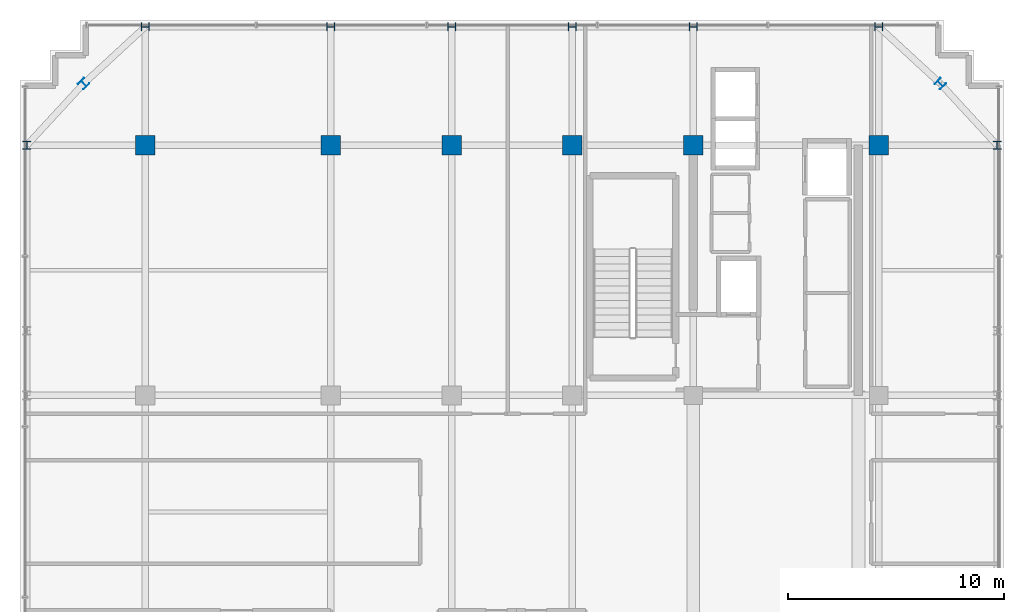
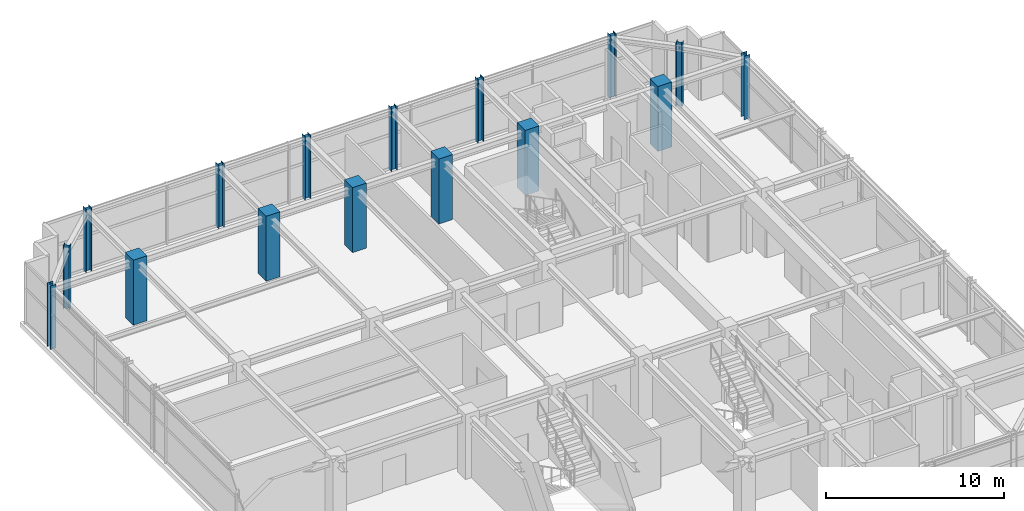
# One storey, part 3 of 20: 16 columns.
"""IFC4 building model written with IfcOpenShell, lengths in metres."""

import ifcopenshell
import ifcopenshell.guid

model = None  # the IFC model being written
_history = None  # IfcOwnerHistory: only IFC2X3 demands one
_inside = {}  # id of a spatial element -> (the spatial element, [elements in it])
_under = {}  # id of a project, library or spatial element -> (it, [spatial elements below it])
_declared = {}  # id of a project -> (the project, [libraries it declares])
_typed = {}  # id of a type object -> (the type object, [elements of that type])
_made_of = {}  # id of a material, layer set ... -> (it, [elements and type objects made of it])


def new_model(schema):
    """Start an empty IFC model of exactly this schema.

    Asked for "IFC4X3", IfcOpenShell would pick the latest addendum, in which some entities
    have other attributes; the version numbers below select the first issue.
    IFC2X3 requires an IfcOwnerHistory on every rooted entity: one is made here for all.
    """
    global model, _history
    if schema == "IFC4X3":
        model = ifcopenshell.file(schema_version=(4, 3, 0, 0))
    else:
        model = ifcopenshell.file(schema=schema)
    _inside.clear()
    _under.clear()
    _declared.clear()
    _typed.clear()
    _made_of.clear()
    _history = None
    if model.schema == "IFC2X3":
        org = make("IfcOrganization", Name="unknown")
        user = make(
            "IfcPersonAndOrganization",
            ThePerson=make("IfcPerson", FamilyName="unknown"),
            TheOrganization=org,
        )
        app = make(
            "IfcApplication",
            ApplicationDeveloper=org,
            Version="unknown",
            ApplicationFullName="unknown",
            ApplicationIdentifier="unknown",
        )
        _history = make(
            "IfcOwnerHistory",
            OwningUser=user,
            OwningApplication=app,
            ChangeAction="ADDED",
            CreationDate=0,
        )
    return model


def make(cls, **values):
    """One entity of the class cls with the attributes given. An attribute that is None is left unset."""
    return model.create_entity(
        cls, **{name: value for name, value in values.items() if value is not None}
    )


def rooted(cls, **values):
    """An entity with a GlobalId (a new one), such as an element, a storey or a relation."""
    return make(cls, GlobalId=ifcopenshell.guid.new(), OwnerHistory=_history, **values)


def si_unit(unit_type, name, prefix=None):
    """IfcSIUnit, for example si_unit("LENGTHUNIT", "METRE", prefix="MILLI")."""
    return make("IfcSIUnit", UnitType=unit_type, Prefix=prefix, Name=name)


def assignment(units):
    """IfcUnitAssignment: the units of a project."""
    return None if units is None else make("IfcUnitAssignment", Units=units)


def point(xyz):
    """IfcCartesianPoint."""
    return None if xyz is None else make("IfcCartesianPoint", Coordinates=xyz)


def direction(xyz):
    """IfcDirection."""
    return None if xyz is None else make("IfcDirection", DirectionRatios=xyz)


def frame(location, z_axis=None, x_axis=None):
    """IfcAxis2Placement3D, a coordinate frame: its origin and axes. An axis left out is left unset."""
    return make(
        "IfcAxis2Placement3D",
        Location=point(location),
        Axis=direction(z_axis),
        RefDirection=direction(x_axis),
    )


def frame_2d(location, x_axis=None):
    """IfcAxis2Placement2D, a coordinate frame in the plane: its origin and x axis."""
    return make(
        "IfcAxis2Placement2D", Location=point(location), RefDirection=direction(x_axis)
    )


def origin():
    """The frame at (0, 0, 0) with its axes left unset."""
    return frame((0.0, 0.0, 0.0))


def origin_2d():
    """The frame at (0, 0) in the plane with its x axis left unset."""
    return frame_2d((0.0, 0.0))


def place(relative_to, where):
    """IfcLocalPlacement: puts the frame where relative to a parent placement (None: the world)."""
    return make(
        "IfcLocalPlacement", PlacementRelTo=relative_to, RelativePlacement=where
    )


def context(
    kind, dimensions, precision=None, world=None, true_north=None, identifier=None
):
    """IfcGeometricRepresentationContext, for example the 3D "Model" context."""
    return make(
        "IfcGeometricRepresentationContext",
        ContextIdentifier=identifier,
        ContextType=kind,
        CoordinateSpaceDimension=dimensions,
        Precision=precision,
        WorldCoordinateSystem=world,
        TrueNorth=true_north,
    )


def subcontext(parent, identifier, kind, view, scale=None):
    """IfcGeometricRepresentationSubContext, for example "Body" below "Model"."""
    return make(
        "IfcGeometricRepresentationSubContext",
        ContextIdentifier=identifier,
        ContextType=kind,
        ParentContext=parent,
        TargetScale=scale,
        TargetView=view,
    )


def project(units=None, contexts=None):
    """IfcProject with its units and contexts."""
    return rooted(
        "IfcProject",
        Name="project",
        RepresentationContexts=contexts,
        UnitsInContext=assignment(units),
    )


def spatial(cls, under=None, at=None, **own):
    """A site, building, storey or space (cls), placed at a placement, below another one or the project."""
    s = rooted(cls, ObjectPlacement=at, **own)
    if under is not None:
        _under.setdefault(under.id(), (under, []))[1].append(s)
    return s


def profile(cls, at=None, kind="AREA", **sizes):
    """A parametric profile (cls). Its sizes go by their IFC names, for example OverallWidth=200.0."""
    return make(cls, ProfileType=kind, Position=at, **sizes)


def rectangle(**sizes):
    """IfcRectangleProfileDef."""
    return profile("IfcRectangleProfileDef", **sizes)


def i_section(**sizes):
    """IfcIShapeProfileDef."""
    return profile("IfcIShapeProfileDef", **sizes)


def extrude(swept, where, along, depth):
    """IfcExtrudedAreaSolid: the profile swept, set in the frame where, extruded along a direction by depth."""
    return make(
        "IfcExtrudedAreaSolid",
        SweptArea=swept,
        Position=where,
        ExtrudedDirection=direction(along),
        Depth=depth,
    )


def shape(context_of_items, identifier, shape_type, items):
    """IfcShapeRepresentation: the items that make up one representation, for example the "Body"."""
    return make(
        "IfcShapeRepresentation",
        ContextOfItems=context_of_items,
        RepresentationIdentifier=identifier,
        RepresentationType=shape_type,
        Items=items,
    )


def source(mapping_origin, context_of_items, identifier, shape_type, items):
    """IfcRepresentationMap: a shape defined once, which mapped items show again and again."""
    return make(
        "IfcRepresentationMap",
        MappingOrigin=mapping_origin,
        MappedRepresentation=shape(context_of_items, identifier, shape_type, items),
    )


def transform(
    local_origin,
    x_axis=None,
    y_axis=None,
    z_axis=None,
    scale=None,
    scale2=None,
    scale3=None,
    uniform=True,
):
    """IfcCartesianTransformationOperator3D, or its non-uniform kind. x_axis, y_axis, z_axis: its Axis1, 2, 3."""
    if uniform:
        return make(
            "IfcCartesianTransformationOperator3D",
            Axis1=direction(x_axis),
            Axis2=direction(y_axis),
            LocalOrigin=point(local_origin),
            Scale=scale,
            Axis3=direction(z_axis),
        )
    return make(
        "IfcCartesianTransformationOperator3DnonUniform",
        Axis1=direction(x_axis),
        Axis2=direction(y_axis),
        LocalOrigin=point(local_origin),
        Scale=scale,
        Axis3=direction(z_axis),
        Scale2=scale2,
        Scale3=scale3,
    )


def mapped(mapping_source, mapping_target):
    """IfcMappedItem: shows the shape of a source again, moved by a transform."""
    return make(
        "IfcMappedItem", MappingSource=mapping_source, MappingTarget=mapping_target
    )


def material(Name=None, Category=None):
    """IfcMaterial."""
    return make("IfcMaterial", Name=Name, Category=Category)


def material_profile(
    of_material, cross_section, Name=None, Category=None, Priority=None
):
    """IfcMaterialProfile: a cross section and its material."""
    return make(
        "IfcMaterialProfile",
        Name=Name,
        Material=of_material,
        Profile=cross_section,
        Priority=Priority,
        Category=Category,
    )


def profile_set(profiles, Name=None, composite=None):
    """IfcMaterialProfileSet."""
    return make(
        "IfcMaterialProfileSet",
        Name=Name,
        MaterialProfiles=profiles,
        CompositeProfile=composite,
    )


def made_of(thing, what):
    """Note that an element or type object is made of a material, layer set ...; save() writes the relation."""
    if what is not None:
        _made_of.setdefault(what.id(), (what, []))[1].append(thing)
    return thing


def type_object(cls, material=None, **own):
    """A type object (cls), such as IfcWallType, which elements share."""
    return made_of(rooted(cls, **own), material)


def element(
    cls,
    number,
    at=None,
    inside=None,
    cuts=None,
    type_object=None,
    material=None,
    context=None,
    identifier="Body",
    shape_type=None,
    held_by="IfcProductDefinitionShape",
    body=None,
    shapes=None,
    **own,
):
    """One element of the class cls, such as IfcWall. Its Tag is "e" and its number.

    at: its placement. inside: the storey or other place that contains it. cuts: it is an
    opening in that element (IfcRelVoidsElement). A single representation is given by context,
    identifier, shape_type and body (its items); several are given by shapes. held_by: the class
    of the entity that holds the representations. save() writes the other relations.
    """
    e = rooted(cls, Tag="e%d" % number, ObjectPlacement=at, **own)
    if body is not None:
        shapes = [shape(context, identifier, shape_type, body)]
    if shapes is not None:
        e.Representation = make(held_by, Representations=shapes)
    if inside is not None:
        _inside.setdefault(inside.id(), (inside, []))[1].append(e)
    if cuts is not None:
        rooted(
            "IfcRelVoidsElement", RelatingBuildingElement=cuts, RelatedOpeningElement=e
        )
    if type_object is not None:
        _typed.setdefault(type_object.id(), (type_object, []))[1].append(e)
    return made_of(e, material)


def aggregate(whole, parts):
    """IfcRelAggregates: a whole, such as a stair, and the parts it consists of."""
    return rooted("IfcRelAggregates", RelatingObject=whole, RelatedObjects=parts)


def save(model, path):
    """Write the relations noted so far, then the file.

    IfcRelAggregates (storeys below a building ...), IfcRelContainedInSpatialStructure (elements
    in a storey), IfcRelDefinesByType, IfcRelAssociatesMaterial and IfcRelDeclares: one each for
    every whole, place, type object, material and project.
    """
    for whole, parts in _under.values():
        aggregate(whole, parts)
    for where, things in _inside.values():
        rooted(
            "IfcRelContainedInSpatialStructure",
            RelatedElements=things,
            RelatingStructure=where,
        )
    for kind, things in _typed.values():
        rooted("IfcRelDefinesByType", RelatedObjects=things, RelatingType=kind)
    for what, things in _made_of.values():
        rooted("IfcRelAssociatesMaterial", RelatedObjects=things, RelatingMaterial=what)
    for by, libraries in _declared.values():
        rooted("IfcRelDeclares", RelatingContext=by, RelatedDefinitions=libraries)
    model.write(path)


model = new_model("IFC4")

# Units and contexts
model_context = context("Model", 3, precision=1e-05, world=origin(), true_north=direction((0.0, 1.0)))
body_context = subcontext(model_context, "Body", "Model", "MODEL_VIEW")
ifc_project = project(units=[si_unit("LENGTHUNIT", "METRE"), si_unit("AREAUNIT", "SQUARE_METRE"), si_unit("VOLUMEUNIT", "CUBIC_METRE"), si_unit("PLANEANGLEUNIT", "RADIAN"), si_unit("MASSUNIT", "GRAM", prefix="KILO")], contexts=[model_context])

# Site, building, storey
site_placement = place(None, origin())
site = spatial("IfcSite", under=ifc_project, at=site_placement, CompositionType="ELEMENT")
building_placement = place(site_placement, origin())
building = spatial("IfcBuilding", under=site, at=building_placement, Name="Nahalor Promenade Grand Hotel", CompositionType="ELEMENT")
storey_placement = place(building_placement, frame((0.0, 0.0, 347.550048828125)))
storey = spatial("IfcBuildingStorey", under=building, at=storey_placement, Name="L89", CompositionType="ELEMENT", Elevation=347.550048828125)

# Columns
ifc_material_1 = material(Name="Concrete B-50 (C40/50)", Category="concrete")
ifc_material_profile_1 = material_profile(ifc_material_1, rectangle(XDim=0.9, YDim=0.9, at=origin_2d()), Name="RC 900x900")
ifc_profile_set_1 = profile_set([ifc_material_profile_1], Name="Concrete B-50 (C40/50)")
column_type_1 = type_object("IfcColumnType", Name="Col-RC-900", PredefinedType="COLUMN", material=ifc_profile_set_1)
shared_shape_1 = source(origin(), body_context, "Body", "SweptSolid", [
    extrude(rectangle(XDim=0.9, YDim=0.9, at=origin_2d()), origin(), (0.0, 0.0, 1.0), 4.454833984375),
])
for number, where, z_axis, x_axis, name in (
    (1, (-17.0, 17.0, 0.0), (0.0, 0.0, 1.0), (1.0, 0.0, 0.0), "COL-L89-I03"),
    (2, (-8.39990234375, 17.0, 0.0), (0.0, 0.0, 1.0), (1.0, 0.0, 0.0), "COL-L89-I13"),
    (3, (-2.800048828125, 17.0, 0.0), (0.0, 0.0, 1.0), (1.0, 0.0, 0.0), "COL-L89-I23"),
    (4, (2.800048828125, 17.0, 0.0), (0.0, 0.0, 1.0), (1.0, 0.0, 0.0), "COL-L89-I33"),
    (5, (8.39990234375, 17.0, 0.0), (0.0, 0.0, 1.0), (1.0, 0.0, 0.0), "COL-L89-I43"),
    (6, (17.0, 17.0, 0.0), (0.0, 0.0, 1.0), (1.0, 0.0, 0.0), "COL-L89-I53"),
):
    element("IfcColumn", number, at=place(storey_placement, frame(where, z_axis=z_axis, x_axis=x_axis)), inside=storey, type_object=column_type_1, Name=name, PredefinedType="COLUMN", context=body_context, shape_type="MappedRepresentation", body=[
        mapped(shared_shape_1, transform((0.0, 0.0, 0.0), scale=1.0)),
    ])
ifc_material_2 = material(Name="Steel S355JR", Category="steel")
ifc_material_profile_2 = material_profile(ifc_material_2, i_section(OverallWidth=0.374, OverallDepth=0.374, WebThickness=0.0144, FlangeThickness=0.0229, at=origin_2d()), Name="HD 360x262")
ifc_profile_set_2 = profile_set([ifc_material_profile_2], Name="Steel S355JR")
column_type_2 = type_object("IfcColumnType", Name="Col-Steel-HD262", PredefinedType="COLUMN", material=ifc_profile_set_2)
shared_shape_2 = source(origin(), body_context, "Body", "SweptSolid", [
    extrude(i_section(OverallWidth=0.374, OverallDepth=0.374, WebThickness=0.0144, FlangeThickness=0.0229, at=origin_2d()), origin(), (0.0, 0.0, 1.0), 4.35498046875),
])
for number, where, z_axis, x_axis, name in (
    (7, (-22.47998046875, 17.0, 0.0), (0.0, 0.0, 1.0), (1.0, 0.0, 0.0), "COL-L89-PW-W5"),
    (8, (22.47998046875, 17.0, 0.0), (0.0, 0.0, 1.0), (1.0, 0.0, 0.0), "COL-L89-PW-E5"),
    (9, (-17.0, 22.47998046875, 0.0), (0.0, 0.0, 1.0), (0.0, 1.0, 0.0), "COL-L89-PN-N0"),
    (10, (-8.39990234375, 22.47998046875, 0.0), (0.0, 0.0, 1.0), (0.0, 1.0, 0.0), "COL-L89-PN-N1"),
    (11, (-2.800048828125, 22.47998046875, 0.0), (0.0, 0.0, 1.0), (0.0, 1.0, 0.0), "COL-L89-PN-N2"),
    (12, (2.800048828125, 22.47998046875, 0.0), (0.0, 0.0, 1.0), (0.0, 1.0, 0.0), "COL-L89-PN-N3"),
    (13, (8.39990234375, 22.47998046875, 0.0), (0.0, 0.0, 1.0), (0.0, 1.0, 0.0), "COL-L89-PN-N4"),
    (14, (17.0, 22.47998046875, 0.0), (0.0, 0.0, 1.0), (0.0, 1.0, 0.0), "COL-L89-PN-N5"),
    (15, (-19.85009765625, 19.85009765625, 0.0), (0.0, 0.0, 1.0), (0.707106781187, 0.707106781187, 0.0), "COL-L89-CRN-NW"),
    (16, (19.85009765625, 19.85009765625, 0.0), (0.0, 0.0, 1.0), (0.707106781187, 0.707106781187, 0.0), "COL-L89-CRN-NE"),
):
    element("IfcColumn", number, at=place(storey_placement, frame(where, z_axis=z_axis, x_axis=x_axis)), inside=storey, type_object=column_type_2, Name=name, PredefinedType="COLUMN", context=body_context, shape_type="MappedRepresentation", body=[
        mapped(shared_shape_2, transform((0.0, 0.0, 0.0), scale=1.0)),
    ])

save(model, "model.ifc")
